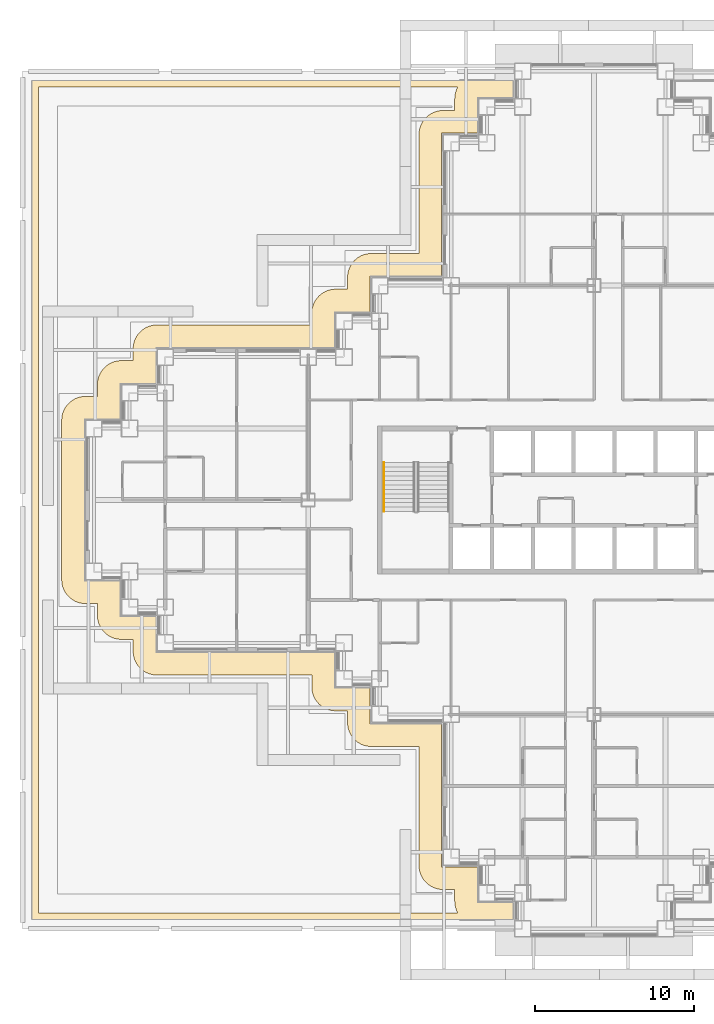
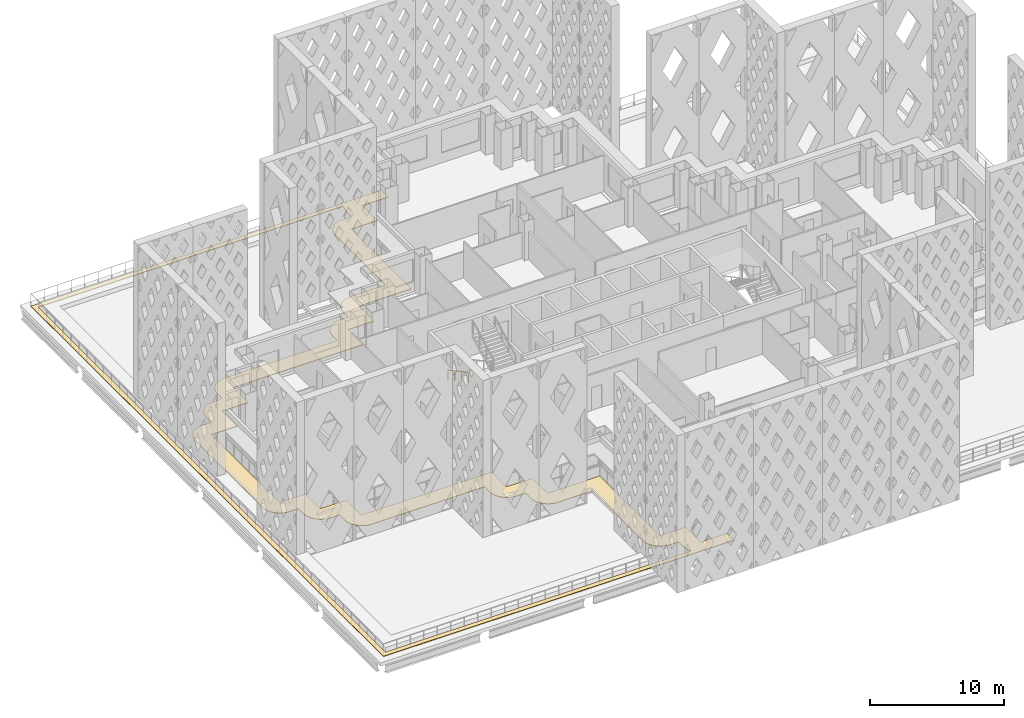
# One storey, part 17 of 26: 1 covering, 1 railing.
"""IFC4 building model written with IfcOpenShell, lengths in metres."""

from ifc_helpers import new_model, si_unit, direction, frame, origin, origin_2d, place, context, subcontext, project, spatial, polyline, circle, outline, extrude, material, layer, layer_set, type_object, element, save


model = new_model("IFC4")

# Units and contexts
model_context = context("Model", 3, precision=1e-05, world=origin(), true_north=direction((0.0, 1.0)))
body_context = subcontext(model_context, "Body", "Model", "MODEL_VIEW")
ifc_project = project(units=[si_unit("LENGTHUNIT", "METRE"), si_unit("AREAUNIT", "SQUARE_METRE"), si_unit("VOLUMEUNIT", "CUBIC_METRE"), si_unit("PLANEANGLEUNIT", "RADIAN"), si_unit("MASSUNIT", "GRAM", prefix="KILO")], contexts=[model_context])

# Site, building, storey
site_placement = place(None, origin())
site = spatial("IfcSite", under=ifc_project, at=site_placement, CompositionType="ELEMENT")
building_placement = place(site_placement, origin())
building = spatial("IfcBuilding", under=site, at=building_placement, Name="Caravel Reach Hotel and Residences", CompositionType="ELEMENT")
storey_placement = place(building_placement, frame((0.0, 0.0, 33.60009765625)))
storey = spatial("IfcBuildingStorey", under=building, at=storey_placement, Name="L06", CompositionType="ELEMENT", Elevation=33.60009765625)

# Railing
ifc_material_1 = material(Name="Stainless steel handrail", Category="steel")
railing_type = type_object("IfcRailingType", Name="Handrail 900", PredefinedType="HANDRAIL", material=ifc_material_1)
railing_placement = place(storey_placement, frame((18.27490234375, 29.35009765625, 0.14990234375)))
element("IfcRailing", 1, at=railing_placement, inside=storey, type_object=railing_type, Name="L06 ST-A stair handrail 1", PredefinedType="HANDRAIL", context=body_context, shape_type="SweptSolid", body=[
    extrude(circle(Radius=0.02392578125, at=origin_2d()), frame((0.0, 0.0, 0.8759765625), z_axis=(0.0, -0.881496589024, 0.472190389079), x_axis=(1.0, 0.0, 0.0)), (0.0, 0.0, 1.0), 3.494140625),
    extrude(circle(Radius=0.02099609375, at=origin_2d()), origin(), (0.0, 0.0, 1.0), 0.851806640625),
    extrude(circle(Radius=0.02099609375, at=origin_2d()), frame((0.0, -1.026611328125, 0.550048828125)), (0.0, 0.0, 1.0), 0.851806640625),
    extrude(circle(Radius=0.02099609375, at=origin_2d()), frame((0.0, -2.053466796875, 1.099853515625)), (0.0, 0.0, 1.0), 0.851806640625),
    extrude(circle(Radius=0.02099609375, at=origin_2d()), frame((0.0, -3.080078125, 1.64990234375)), (0.0, 0.0, 1.0), 0.851806640625),
])

# Covering
ifc_material_2 = material(Name="Porcelain paving")
ifc_layer = layer(ifc_material_2, 0.050048828125)
ifc_layer_set = layer_set([ifc_layer], Name="TF1 Terrace paving finish 50")
covering_type = type_object("IfcCoveringType", Name="TF1 Terrace paving finish 50", PredefinedType="FLOORING", material=ifc_layer_set)
covering_placement = place(storey_placement, origin())
element("IfcCovering", 2, at=covering_placement, inside=storey, type_object=covering_type, Name="Podium terrace paving 2.1", PredefinedType="FLOORING", context=body_context, shape_type="SweptSolid", body=[
    extrude(outline(polyline([(-3.89990234375, 53.39990234375), (-3.89990234375, 0.60009765625), (26.39990234375, 0.60009765625), (26.39990234375, 1.64990234375), (24.14990234375, 1.64990234375), (24.14990234375, 3.89990234375), (21.89990234375, 3.89990234375), (21.89990234375, 12.89990234375), (17.39990234375, 12.89990234375), (17.39990234375, 15.14990234375), (15.14990234375, 15.14990234375), (15.14990234375, 17.39990234375), (3.89990234375, 17.39990234375), (3.89990234375, 19.64990234375), (1.64990234375, 19.64990234375), (1.64990234375, 21.89990234375), (-0.60009765625, 21.89990234375), (-0.60009765625, 32.10009765625), (1.64990234375, 32.10009765625), (1.64990234375, 34.35009765625), (3.89990234375, 34.35009765625), (3.89990234375, 36.60009765625), (15.14990234375, 36.60009765625), (15.14990234375, 38.85009765625), (17.39990234375, 38.85009765625), (17.39990234375, 41.10009765625), (21.89990234375, 41.10009765625), (21.89990234375, 50.10009765625), (24.14990234375, 50.10009765625), (24.14990234375, 52.35009765625), (26.39990234375, 52.35009765625), (26.39990234375, 53.39990234375), (-3.89990234375, 53.39990234375)]), holes=[polyline([(-3.5, 53.0), (22.912841796875, 53.0), (22.902099609375, 52.982177734375), (22.839111328125, 52.84912109375), (22.78955078125, 52.71044921875), (22.75390625, 52.567626953125), (22.732177734375, 52.422119140625), (22.72509765625, 52.27490234375), (22.72509765625, 51.52490234375), (21.97509765625, 51.52490234375), (21.827880859375, 51.517822265625), (21.682373046875, 51.49609375), (21.53955078125, 51.46044921875), (21.40087890625, 51.410888671875), (21.267822265625, 51.347900390625), (21.1416015625, 51.272216796875), (21.0234375, 51.1845703125), (20.914306640625, 51.085693359375), (20.8154296875, 50.9765625), (20.727783203125, 50.8583984375), (20.652099609375, 50.732177734375), (20.589111328125, 50.59912109375), (20.53955078125, 50.46044921875), (20.50390625, 50.317626953125), (20.482177734375, 50.172119140625), (20.47509765625, 50.02490234375), (20.47509765625, 42.52490234375), (17.47509765625, 42.52490234375), (17.327880859375, 42.517822265625), (17.182373046875, 42.49609375), (17.03955078125, 42.46044921875), (16.90087890625, 42.410888671875), (16.767822265625, 42.347900390625), (16.6416015625, 42.272216796875), (16.5234375, 42.1845703125), (16.414306640625, 42.085693359375), (16.3154296875, 41.9765625), (16.227783203125, 41.8583984375), (16.152099609375, 41.732177734375), (16.089111328125, 41.59912109375), (16.03955078125, 41.46044921875), (16.00390625, 41.317626953125), (15.982177734375, 41.172119140625), (15.97509765625, 41.02490234375), (15.97509765625, 40.27490234375), (15.22509765625, 40.27490234375), (15.077880859375, 40.267822265625), (14.932373046875, 40.24609375), (14.78955078125, 40.21044921875), (14.65087890625, 40.160888671875), (14.517822265625, 40.097900390625), (14.3916015625, 40.022216796875), (14.2734375, 39.9345703125), (14.164306640625, 39.835693359375), (14.0654296875, 39.7265625), (13.977783203125, 39.6083984375), (13.902099609375, 39.482177734375), (13.839111328125, 39.34912109375), (13.78955078125, 39.21044921875), (13.75390625, 39.067626953125), (13.732177734375, 38.922119140625), (13.72509765625, 38.77490234375), (13.72509765625, 38.02490234375), (3.97509765625, 38.02490234375), (3.827880859375, 38.017822265625), (3.682373046875, 37.99609375), (3.53955078125, 37.96044921875), (3.40087890625, 37.910888671875), (3.267822265625, 37.847900390625), (3.1416015625, 37.772216796875), (3.0234375, 37.6845703125), (2.914306640625, 37.585693359375), (2.8154296875, 37.4765625), (2.727783203125, 37.3583984375), (2.652099609375, 37.232177734375), (2.589111328125, 37.09912109375), (2.53955078125, 36.96044921875), (2.50390625, 36.817626953125), (2.482177734375, 36.672119140625), (2.47509765625, 36.52490234375), (2.47509765625, 35.77490234375), (1.72509765625, 35.77490234375), (1.577880859375, 35.767822265625), (1.432373046875, 35.74609375), (1.28955078125, 35.71044921875), (1.15087890625, 35.660888671875), (1.017822265625, 35.597900390625), (0.8916015625, 35.522216796875), (0.7734375, 35.4345703125), (0.664306640625, 35.335693359375), (0.5654296875, 35.2265625), (0.477783203125, 35.1083984375), (0.402099609375, 34.982177734375), (0.339111328125, 34.84912109375), (0.28955078125, 34.71044921875), (0.25390625, 34.567626953125), (0.232177734375, 34.422119140625), (0.22509765625, 34.27490234375), (0.22509765625, 33.52490234375), (-0.52490234375, 33.52490234375), (-0.672119140625, 33.517822265625), (-0.817626953125, 33.49609375), (-0.96044921875, 33.46044921875), (-1.09912109375, 33.410888671875), (-1.232177734375, 33.347900390625), (-1.3583984375, 33.272216796875), (-1.4765625, 33.1845703125), (-1.585693359375, 33.085693359375), (-1.6845703125, 32.9765625), (-1.772216796875, 32.8583984375), (-1.847900390625, 32.732177734375), (-1.910888671875, 32.59912109375), (-1.96044921875, 32.46044921875), (-1.99609375, 32.317626953125), (-2.017822265625, 32.172119140625), (-2.02490234375, 32.02490234375), (-2.02490234375, 21.97509765625), (-2.017822265625, 21.827880859375), (-1.99609375, 21.682373046875), (-1.96044921875, 21.53955078125), (-1.910888671875, 21.40087890625), (-1.847900390625, 21.267822265625), (-1.772216796875, 21.1416015625), (-1.6845703125, 21.0234375), (-1.585693359375, 20.914306640625), (-1.4765625, 20.8154296875), (-1.3583984375, 20.727783203125), (-1.232177734375, 20.652099609375), (-1.09912109375, 20.589111328125), (-0.96044921875, 20.53955078125), (-0.817626953125, 20.50390625), (-0.672119140625, 20.482177734375), (-0.52490234375, 20.47509765625), (0.22509765625, 20.47509765625), (0.22509765625, 19.72509765625), (0.232177734375, 19.577880859375), (0.25390625, 19.432373046875), (0.28955078125, 19.28955078125), (0.339111328125, 19.15087890625), (0.402099609375, 19.017822265625), (0.477783203125, 18.8916015625), (0.5654296875, 18.7734375), (0.664306640625, 18.664306640625), (0.7734375, 18.5654296875), (0.8916015625, 18.477783203125), (1.017822265625, 18.402099609375), (1.15087890625, 18.339111328125), (1.28955078125, 18.28955078125), (1.432373046875, 18.25390625), (1.577880859375, 18.232177734375), (1.72509765625, 18.22509765625), (2.47509765625, 18.22509765625), (2.47509765625, 17.47509765625), (2.482177734375, 17.327880859375), (2.50390625, 17.182373046875), (2.53955078125, 17.03955078125), (2.589111328125, 16.90087890625), (2.652099609375, 16.767822265625), (2.727783203125, 16.6416015625), (2.8154296875, 16.5234375), (2.914306640625, 16.414306640625), (3.0234375, 16.3154296875), (3.1416015625, 16.227783203125), (3.267822265625, 16.152099609375), (3.40087890625, 16.089111328125), (3.53955078125, 16.03955078125), (3.682373046875, 16.00390625), (3.827880859375, 15.982177734375), (3.97509765625, 15.97509765625), (13.72509765625, 15.97509765625), (13.72509765625, 15.22509765625), (13.732177734375, 15.077880859375), (13.75390625, 14.932373046875), (13.78955078125, 14.78955078125), (13.839111328125, 14.65087890625), (13.902099609375, 14.517822265625), (13.977783203125, 14.3916015625), (14.0654296875, 14.2734375), (14.164306640625, 14.164306640625), (14.2734375, 14.0654296875), (14.3916015625, 13.977783203125), (14.517822265625, 13.902099609375), (14.65087890625, 13.839111328125), (14.78955078125, 13.78955078125), (14.932373046875, 13.75390625), (15.077880859375, 13.732177734375), (15.22509765625, 13.72509765625), (15.97509765625, 13.72509765625), (15.97509765625, 12.97509765625), (15.982177734375, 12.827880859375), (16.00390625, 12.682373046875), (16.03955078125, 12.53955078125), (16.089111328125, 12.40087890625), (16.152099609375, 12.267822265625), (16.227783203125, 12.1416015625), (16.3154296875, 12.0234375), (16.414306640625, 11.914306640625), (16.5234375, 11.8154296875), (16.6416015625, 11.727783203125), (16.767822265625, 11.652099609375), (16.90087890625, 11.589111328125), (17.03955078125, 11.53955078125), (17.182373046875, 11.50390625), (17.327880859375, 11.482177734375), (17.47509765625, 11.47509765625), (20.47509765625, 11.47509765625), (20.47509765625, 3.97509765625), (20.482177734375, 3.827880859375), (20.50390625, 3.682373046875), (20.53955078125, 3.53955078125), (20.589111328125, 3.40087890625), (20.652099609375, 3.267822265625), (20.727783203125, 3.1416015625), (20.8154296875, 3.0234375), (20.914306640625, 2.914306640625), (21.0234375, 2.8154296875), (21.1416015625, 2.727783203125), (21.267822265625, 2.652099609375), (21.40087890625, 2.589111328125), (21.53955078125, 2.53955078125), (21.682373046875, 2.50390625), (21.827880859375, 2.482177734375), (21.97509765625, 2.47509765625), (22.72509765625, 2.47509765625), (22.72509765625, 1.72509765625), (22.732177734375, 1.577880859375), (22.75390625, 1.432373046875), (22.78955078125, 1.28955078125), (22.839111328125, 1.15087890625), (22.902099609375, 1.017822265625), (22.912841796875, 1.0), (-3.5, 1.0), (-3.5, 53.0)])]), origin(), (0.0, 0.0, 1.0), 0.0498046875),
])

save(model, "model.ifc")
